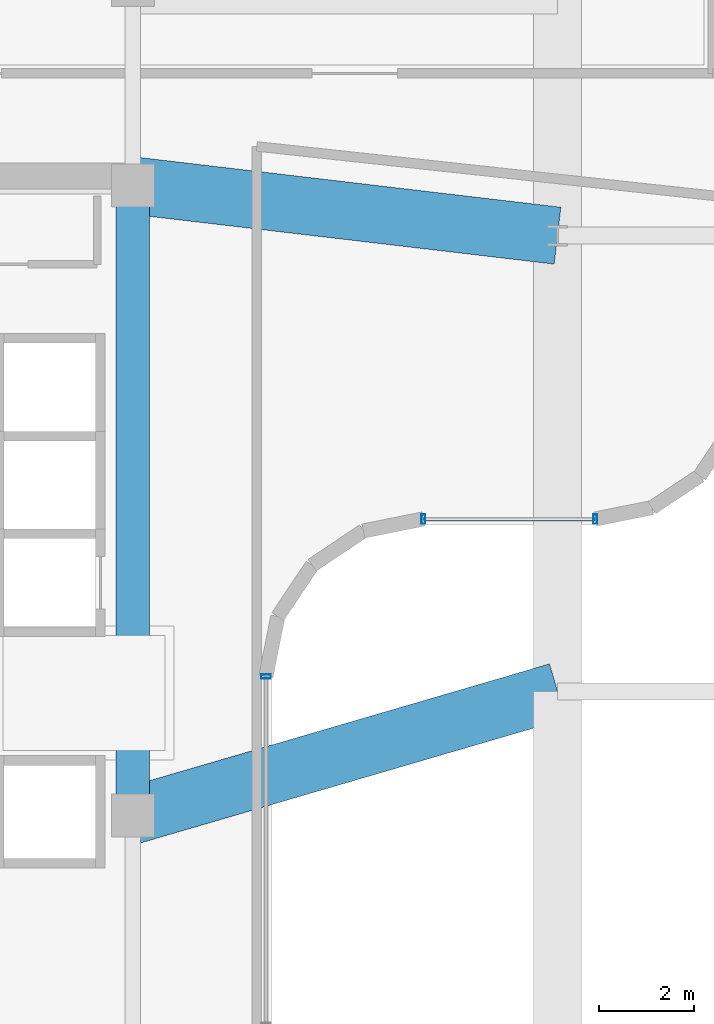
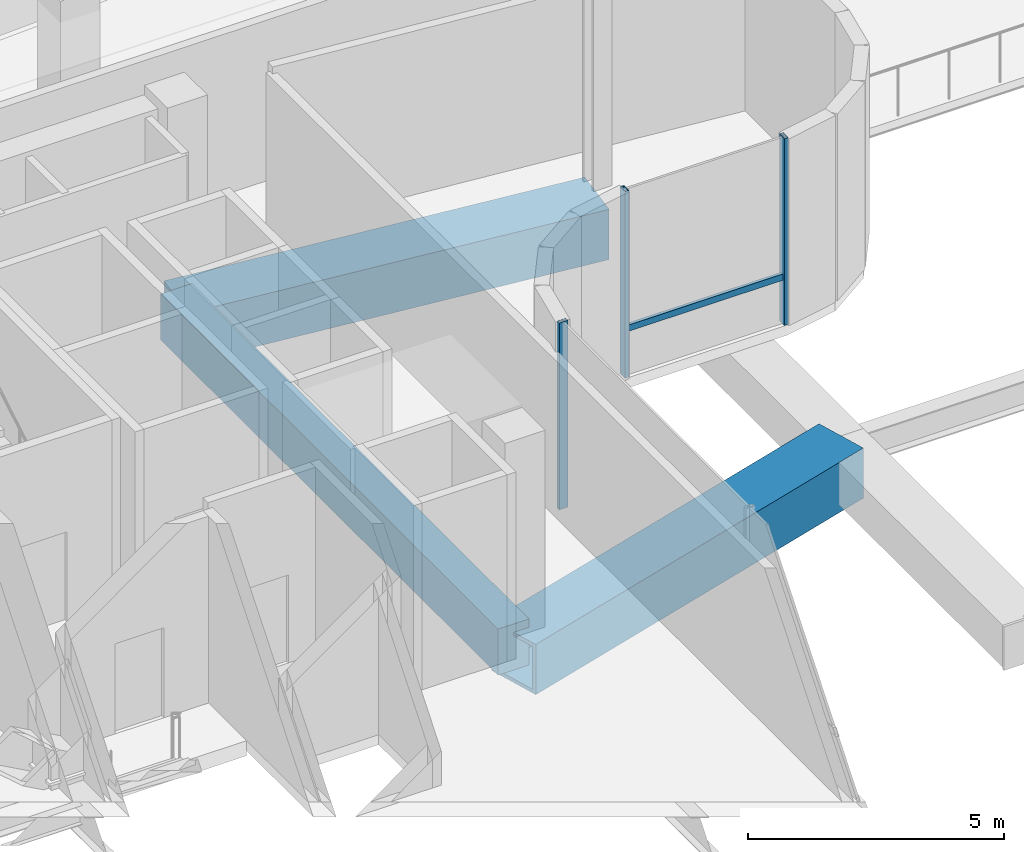
# One storey, part 9 of 20: 4 members, 3 beams, 2 elements without a shape of their own.
"""IFC4 building model written with IfcOpenShell, lengths in metres."""

from ifc_helpers import new_model, si_unit, direction, frame, origin, origin_2d, place, context, subcontext, project, spatial, rectangle, hollow_rectangle, extrude, source, transform, mapped, material, material_profile, profile_set, type_object, element, aggregate, save


model = new_model("IFC4")

# Units and contexts
model_context = context("Model", 3, precision=1e-05, world=origin(), true_north=direction((0.0, 1.0)))
body_context = subcontext(model_context, "Body", "Model", "MODEL_VIEW")
ifc_project = project(units=[si_unit("LENGTHUNIT", "METRE"), si_unit("AREAUNIT", "SQUARE_METRE"), si_unit("VOLUMEUNIT", "CUBIC_METRE"), si_unit("PLANEANGLEUNIT", "RADIAN"), si_unit("MASSUNIT", "GRAM", prefix="KILO")], contexts=[model_context])

# Site, building, storey
site_placement = place(None, origin())
site = spatial("IfcSite", under=ifc_project, at=site_placement, CompositionType="ELEMENT")
building_placement = place(site_placement, origin())
building = spatial("IfcBuilding", under=site, at=building_placement, Name="Valdorenza Pilgrim Sanctuary Tower", CompositionType="ELEMENT")
storey_placement = place(building_placement, frame((0.0, 0.0, 196.300048828125)))
storey = spatial("IfcBuildingStorey", under=building, at=storey_placement, Name="L50", CompositionType="ELEMENT", Elevation=196.300048828125)

# Beams
ifc_material_1 = material(Name="Concrete C50/60", Category="concrete")
ifc_material_profile_1 = material_profile(ifc_material_1, rectangle(XDim=0.699951171875, YDim=1.10009765625, at=origin_2d()), Name="RC 1100x700")
ifc_profile_set_1 = profile_set([ifc_material_profile_1], Name="Concrete C50/60")
beam_type_1 = type_object("IfcBeamType", Name="STR-BM-LNT-1100", PredefinedType="LINTEL", material=ifc_profile_set_1)
shared_shape_1 = source(origin(), body_context, "Body", "SweptSolid", [
    extrude(rectangle(XDim=0.699951171875, YDim=1.10009765625, at=origin_2d()), origin(), (0.0, 0.0, 1.0), 13.2001953125),
])
beam_1_placement = place(storey_placement, frame((-12.39990234375, -2.60009765625, -0.590087890625), z_axis=(0.0, 1.0, 0.0), x_axis=(-1.0, 0.0, 0.0)))
element("IfcBeam", 1, at=beam_1_placement, inside=storey, type_object=beam_type_1, Name="L50 Core A Coupling Lintel Girder", PredefinedType="LINTEL", context=body_context, shape_type="MappedRepresentation", body=[
    mapped(shared_shape_1, transform((0.0, 0.0, 0.0), x_axis=(1.0, 0.0, 0.0), y_axis=(0.0, 1.0, 0.0), z_axis=(0.0, 0.0, 1.0), scale=1.0)),
])
ifc_material_2 = material(Name="Steel ASTM A572 Grade 42", Category="steel")
ifc_material_profile_2 = material_profile(ifc_material_2, hollow_rectangle(XDim=1.199951171875, YDim=1.199951171875, WallThickness=0.090087890625, at=origin_2d()), Name="BOX 1200x1200x90")
ifc_profile_set_2 = profile_set([ifc_material_profile_2], Name="Steel ASTM A572 Grade 42")
beam_type_2 = type_object("IfcBeamType", Name="STR-BM-TRF-1200", PredefinedType="BEAM", material=ifc_profile_set_2)
shared_shape_2 = source(origin(), body_context, "Body", "SweptSolid", [
    extrude(hollow_rectangle(XDim=1.199951171875, YDim=1.199951171875, WallThickness=0.090087890625, at=origin_2d()), origin(), (0.0, 0.0, 1.0), 9.27197265625),
])
beam_2_placement = place(storey_placement, frame((-12.39990234375, -2.60009765625, -0.840087890625), z_axis=(0.959875453664, 0.280426663234, 0.0), x_axis=(-0.280426663234, 0.959875453664, 0.0)))
element("IfcBeam", 2, at=beam_2_placement, inside=storey, type_object=beam_type_2, Name="L50 Portal Bridge Transfer Girder PRY-G1-P0", PredefinedType="BEAM", context=body_context, shape_type="MappedRepresentation", body=[
    mapped(shared_shape_2, transform((0.0, 0.0, 0.0), x_axis=(1.0, 0.0, 0.0), y_axis=(0.0, 1.0, 0.0), z_axis=(0.0, 0.0, 1.0), scale=1.0)),
])
shared_shape_3 = source(origin(), body_context, "Body", "SweptSolid", [
    extrude(hollow_rectangle(XDim=1.199951171875, YDim=1.199951171875, WallThickness=0.090087890625, at=origin_2d()), origin(), (0.0, 0.0, 1.0), 8.961669921875),
])
beam_3_placement = place(storey_placement, frame((-12.39990234375, 10.60009765625, -0.840087890625), z_axis=(0.993111684121, -0.117171595803, 0.0), x_axis=(0.117171595803, 0.993111684121, 0.0)))
element("IfcBeam", 3, at=beam_3_placement, inside=storey, type_object=beam_type_2, Name="L50 Portal Bridge Transfer Girder PRY-G1-P9", PredefinedType="BEAM", context=body_context, shape_type="MappedRepresentation", body=[
    mapped(shared_shape_3, transform((0.0, 0.0, 0.0), x_axis=(1.0, 0.0, 0.0), y_axis=(0.0, 1.0, 0.0), z_axis=(0.0, 0.0, 1.0), scale=1.0)),
])

# Curtain wall, members
ifc_material_3 = material(Name="Curtain-wall IGU glazing", Category="glass")
curtain_wall_type = type_object("IfcCurtainWallType", Name="CW-SYS-02", PredefinedType="NOTDEFINED", material=ifc_material_3)
curtain_wall_1_placement = place(storey_placement, origin())
curtain_wall_1 = element("IfcCurtainWall", 4, at=curtain_wall_1_placement, inside=storey, type_object=curtain_wall_type, Name="L50 Curtain Wall CW-L50-1-16", PredefinedType="NOTDEFINED")
ifc_material_4 = material(Name="Anodised aluminium AW-6060", Category="aluminium")
ifc_material_profile_3 = material_profile(ifc_material_4, hollow_rectangle(XDim=0.0849609375, YDim=0.199951171875, WallThickness=0.0048828125, at=origin_2d()), Name="ALU-M 200x85x5")
ifc_profile_set_3 = profile_set([ifc_material_profile_3], Name="Anodised aluminium AW-6060")
member_type_1 = type_object("IfcMemberType", Name="CW-MUL-02", PredefinedType="MULLION", material=ifc_profile_set_3)
shared_shape_4 = source(origin(), body_context, "Body", "SweptSolid", [
    extrude(hollow_rectangle(XDim=0.0849609375, YDim=0.199951171875, WallThickness=0.0048828125, at=origin_2d()), origin(), (0.0, 0.0, 1.0), 4.4599609375),
])
member_1_placement = place(storey_placement, frame((-2.710693359375, 3.610107421875, 0.0), z_axis=(0.0, 0.0, 1.0), x_axis=(-1.0, 0.0, 0.0)))
member_1 = element("IfcMember", 5, at=member_1_placement, type_object=member_type_1, Name="CW-L50-1-16 Mullion 1", PredefinedType="MULLION", context=body_context, shape_type="MappedRepresentation", body=[
    mapped(shared_shape_4, transform((0.0, 0.0, 0.0), x_axis=(1.0, 0.0, 0.0), y_axis=(0.0, 1.0, 0.0), z_axis=(0.0, 0.0, 1.0), scale=1.0)),
])
member_2_placement = place(storey_placement, frame((-6.310791015625, 3.610107421875, 0.0), z_axis=(0.0, 0.0, 1.0), x_axis=(-1.0, 0.0, 0.0)))
member_2 = element("IfcMember", 6, at=member_2_placement, type_object=member_type_1, Name="CW-L50-1-16 Mullion 2", PredefinedType="MULLION", context=body_context, shape_type="MappedRepresentation", body=[
    mapped(shared_shape_4, transform((0.0, 0.0, 0.0), x_axis=(1.0, 0.0, 0.0), y_axis=(0.0, 1.0, 0.0), z_axis=(0.0, 0.0, 1.0), scale=1.0)),
])

# Curtain wall, member
curtain_wall_2_placement = place(storey_placement, origin())
curtain_wall_2 = element("IfcCurtainWall", 7, at=curtain_wall_2_placement, inside=storey, type_object=curtain_wall_type, Name="L50 Curtain Wall CW-L50-1-21", PredefinedType="NOTDEFINED")
member_3_placement = place(storey_placement, frame((-9.610107421875, 0.310791015625, 0.0), z_axis=(0.0, 0.0, 1.0), x_axis=(0.0, -1.0, 0.0)))
member_3 = element("IfcMember", 8, at=member_3_placement, type_object=member_type_1, Name="CW-L50-1-21 Mullion 1", PredefinedType="MULLION", context=body_context, shape_type="MappedRepresentation", body=[
    mapped(shared_shape_4, transform((0.0, 0.0, 0.0), x_axis=(1.0, 0.0, 0.0), y_axis=(0.0, 1.0, 0.0), z_axis=(0.0, 0.0, 1.0), scale=1.0)),
])
aggregate(curtain_wall_2, [member_3])

# Member
ifc_material_profile_4 = material_profile(ifc_material_4, hollow_rectangle(XDim=0.074951171875, YDim=0.14990234375, WallThickness=0.00390625, at=origin_2d()), Name="ALU-T 150x75x4")
ifc_profile_set_4 = profile_set([ifc_material_profile_4], Name="Anodised aluminium AW-6060")
member_type_2 = type_object("IfcMemberType", Name="CW-TRN-02", PredefinedType="USERDEFINED", material=ifc_profile_set_4)
shared_shape_5 = source(origin(), body_context, "Body", "SweptSolid", [
    extrude(hollow_rectangle(XDim=0.074951171875, YDim=0.14990234375, WallThickness=0.00390625, at=origin_2d()), origin(), (0.0, 0.0, 1.0), 3.60009765625),
])
member_4_placement = place(storey_placement, frame((-2.710693359375, 3.610107421875, 1.119873046875), z_axis=(-1.0, 0.0, 0.0), x_axis=(0.0, -1.0, 0.0)))
member_4 = element("IfcMember", 9, at=member_4_placement, type_object=member_type_2, Name="CW-L50-1-16 Transom 1", ObjectType="TRANSOM", PredefinedType="USERDEFINED", context=body_context, shape_type="MappedRepresentation", body=[
    mapped(shared_shape_5, transform((0.0, 0.0, 0.0), x_axis=(1.0, 0.0, 0.0), y_axis=(0.0, 1.0, 0.0), z_axis=(0.0, 0.0, 1.0), scale=1.0)),
])

aggregate(curtain_wall_1, [member_1, member_2, member_4])

save(model, "model.ifc")
